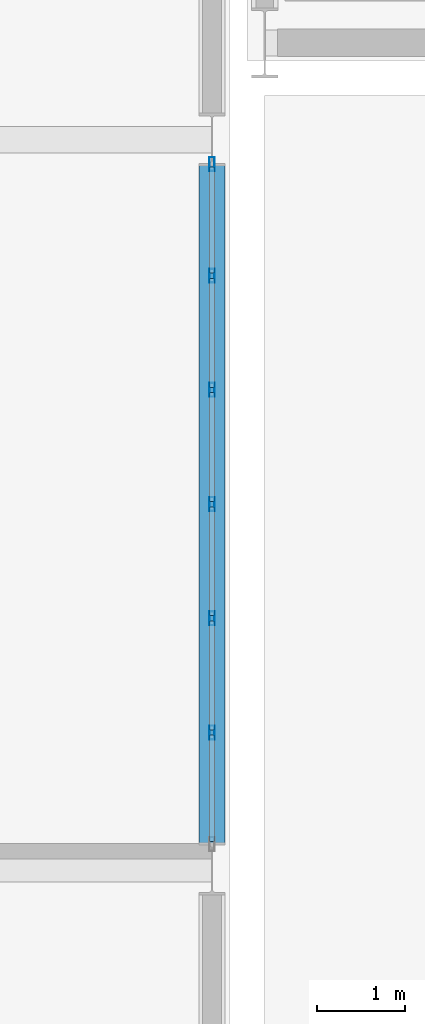
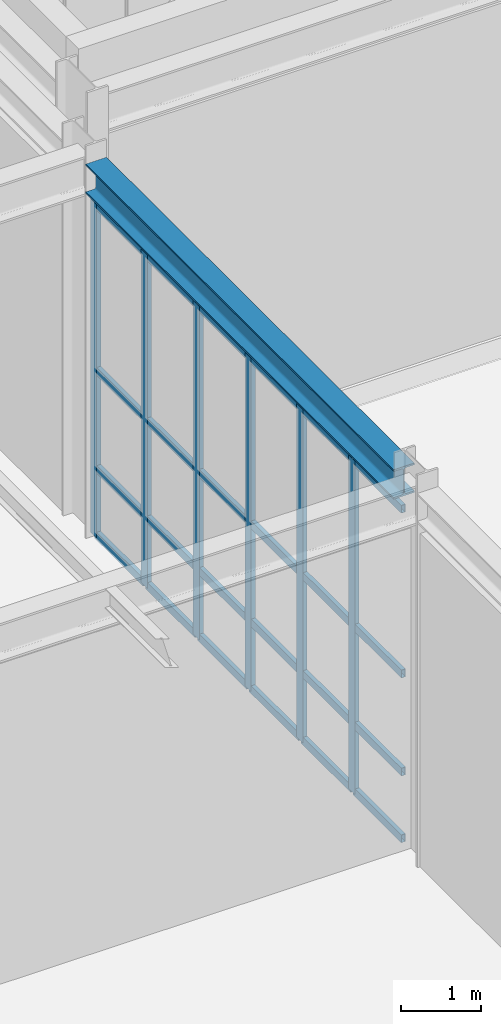
# One storey, part 89 of 146: 30 members, 1 beam, 1 element without a shape of its own.
"""IFC4 building model written with IfcOpenShell, lengths in metres."""

from ifc_helpers import new_model, si_unit, direction, frame, origin, origin_2d, place, context, subcontext, project, spatial, hollow_rectangle, i_section, extrude, material, material_profile, profile_set, type_object, element, aggregate, save


model = new_model("IFC4")

# Units and contexts
model_context = context("Model", 3, precision=1e-05, world=origin(), true_north=direction((0.0, 1.0)))
body_context = subcontext(model_context, "Body", "Model", "MODEL_VIEW")
ifc_project = project(units=[si_unit("LENGTHUNIT", "METRE"), si_unit("AREAUNIT", "SQUARE_METRE"), si_unit("VOLUMEUNIT", "CUBIC_METRE"), si_unit("PLANEANGLEUNIT", "RADIAN"), si_unit("MASSUNIT", "GRAM", prefix="KILO")], contexts=[model_context])

# Site, building, storey
site_placement = place(None, origin())
site = spatial("IfcSite", under=ifc_project, at=site_placement, CompositionType="ELEMENT")
building_placement = place(site_placement, origin())
building = spatial("IfcBuilding", under=site, at=building_placement, Name="Kaldris Quays Convention Centre", CompositionType="ELEMENT")
storey_placement = place(building_placement, origin())
storey = spatial("IfcBuildingStorey", under=building, at=storey_placement, Name="L00", CompositionType="ELEMENT", Elevation=0.0)

# Curtain wall, members
ifc_material_1 = material(Name="Anodized aluminium AW-6060 and triple glazing", Category="aluminium")
curtain_wall_type = type_object("IfcCurtainWallType", Name="UNITISED CURTAIN WALL CW04", PredefinedType="NOTDEFINED", material=ifc_material_1)
curtain_wall_placement = place(storey_placement, origin())
curtain_wall = element("IfcCurtainWall", 1, at=curtain_wall_placement, inside=storey, type_object=curtain_wall_type, Name="L00 Unitised Curtain Wall CW04 136", PredefinedType="NOTDEFINED")
ifc_material_2 = material(Name="Anodized aluminium AW-6060", Category="aluminium")
ifc_material_profile_1 = material_profile(ifc_material_2, hollow_rectangle(XDim=0.06005859375, YDim=0.159912109375, WallThickness=0.00390625, at=origin_2d()), Name="RHS 160x60x4")
ifc_profile_set_1 = profile_set([ifc_material_profile_1], Name="Anodized aluminium AW-6060")
member_type_1 = type_object("IfcMemberType", Name="CURTAIN MULLION CWM1", PredefinedType="MULLION", material=ifc_profile_set_1)
member_1_placement = place(storey_placement, frame((164.0, 48.14990234375, 0.0), z_axis=(0.0, 0.0, 1.0), x_axis=(-1.0, 0.0, 0.0)))
member_1 = element("IfcMember", 2, at=member_1_placement, type_object=member_type_1, Name="CW04 mullion 2", PredefinedType="MULLION", context=body_context, shape_type="SweptSolid", body=[
    extrude(hollow_rectangle(XDim=0.06005859375, YDim=0.159912109375, WallThickness=0.00390625, at=origin_2d()), origin(), (0.0, 0.0, 1.0), 5.097900390625),
])
member_2_placement = place(storey_placement, frame((164.0, 49.449951171875, 0.0), z_axis=(0.0, 0.0, 1.0), x_axis=(-1.0, 0.0, 0.0)))
member_2 = element("IfcMember", 3, at=member_2_placement, type_object=member_type_1, Name="CW04 mullion 3", PredefinedType="MULLION", context=body_context, shape_type="SweptSolid", body=[
    extrude(hollow_rectangle(XDim=0.06005859375, YDim=0.159912109375, WallThickness=0.00390625, at=origin_2d()), origin(), (0.0, 0.0, 1.0), 5.097900390625),
])
member_3_placement = place(storey_placement, frame((164.0, 50.75, 0.0), z_axis=(0.0, 0.0, 1.0), x_axis=(-1.0, 0.0, 0.0)))
member_3 = element("IfcMember", 4, at=member_3_placement, type_object=member_type_1, Name="CW04 mullion 4", PredefinedType="MULLION", context=body_context, shape_type="SweptSolid", body=[
    extrude(hollow_rectangle(XDim=0.06005859375, YDim=0.159912109375, WallThickness=0.00390625, at=origin_2d()), origin(), (0.0, 0.0, 1.0), 5.097900390625),
])
member_4_placement = place(storey_placement, frame((164.0, 52.050048828125, 0.0), z_axis=(0.0, 0.0, 1.0), x_axis=(-1.0, 0.0, 0.0)))
member_4 = element("IfcMember", 5, at=member_4_placement, type_object=member_type_1, Name="CW04 mullion 5", PredefinedType="MULLION", context=body_context, shape_type="SweptSolid", body=[
    extrude(hollow_rectangle(XDim=0.06005859375, YDim=0.159912109375, WallThickness=0.00390625, at=origin_2d()), origin(), (0.0, 0.0, 1.0), 5.097900390625),
])
member_5_placement = place(storey_placement, frame((164.0, 53.35009765625, 0.0), z_axis=(0.0, 0.0, 1.0), x_axis=(-1.0, 0.0, 0.0)))
member_5 = element("IfcMember", 6, at=member_5_placement, type_object=member_type_1, Name="CW04 mullion 6", PredefinedType="MULLION", context=body_context, shape_type="SweptSolid", body=[
    extrude(hollow_rectangle(XDim=0.06005859375, YDim=0.159912109375, WallThickness=0.00390625, at=origin_2d()), origin(), (0.0, 0.0, 1.0), 5.097900390625),
])
member_6_placement = place(storey_placement, frame((164.0, 54.6201171875, 0.0), z_axis=(0.0, 0.0, 1.0), x_axis=(-1.0, 0.0, 0.0)))
member_6 = element("IfcMember", 7, at=member_6_placement, type_object=member_type_1, Name="CW04 mullion 7", PredefinedType="MULLION", context=body_context, shape_type="SweptSolid", body=[
    extrude(hollow_rectangle(XDim=0.06005859375, YDim=0.159912109375, WallThickness=0.00390625, at=origin_2d()), origin(), (0.0, 0.0, 1.0), 5.097900390625),
])
ifc_material_profile_2 = material_profile(ifc_material_2, hollow_rectangle(XDim=0.06005859375, YDim=0.1201171875, WallThickness=0.00390625, at=origin_2d()), Name="RHS 120x60x4")
ifc_profile_set_2 = profile_set([ifc_material_profile_2], Name="Anodized aluminium AW-6060")
member_type_2 = type_object("IfcMemberType", Name="CURTAIN TRANSOM CWT1", PredefinedType="USERDEFINED", material=ifc_profile_set_2)
member_7_placement = place(storey_placement, frame((164.0, 46.909912109375, 0.030029296875), z_axis=(0.0, 1.0, 0.0), x_axis=(-1.0, 0.0, 0.0)))
member_7 = element("IfcMember", 8, at=member_7_placement, type_object=member_type_2, Name="CW04 transom 1.1", ObjectType="TRANSOM", PredefinedType="USERDEFINED", context=body_context, shape_type="SweptSolid", body=[
    extrude(hollow_rectangle(XDim=0.06005859375, YDim=0.1201171875, WallThickness=0.00390625, at=origin_2d()), origin(), (0.0, 0.0, 1.0), 1.210205078125),
])
member_8_placement = place(storey_placement, frame((164.0, 46.909912109375, 1.050048828125), z_axis=(0.0, 1.0, 0.0), x_axis=(-1.0, 0.0, 0.0)))
member_8 = element("IfcMember", 9, at=member_8_placement, type_object=member_type_2, Name="CW04 transom 1.2", ObjectType="TRANSOM", PredefinedType="USERDEFINED", context=body_context, shape_type="SweptSolid", body=[
    extrude(hollow_rectangle(XDim=0.06005859375, YDim=0.1201171875, WallThickness=0.00390625, at=origin_2d()), origin(), (0.0, 0.0, 1.0), 1.210205078125),
])
member_9_placement = place(storey_placement, frame((164.0, 46.909912109375, 2.549072265625), z_axis=(0.0, 1.0, 0.0), x_axis=(-1.0, 0.0, 0.0)))
member_9 = element("IfcMember", 10, at=member_9_placement, type_object=member_type_2, Name="CW04 transom 1.3", ObjectType="TRANSOM", PredefinedType="USERDEFINED", context=body_context, shape_type="SweptSolid", body=[
    extrude(hollow_rectangle(XDim=0.06005859375, YDim=0.1201171875, WallThickness=0.00390625, at=origin_2d()), origin(), (0.0, 0.0, 1.0), 1.210205078125),
])
member_10_placement = place(storey_placement, frame((164.0, 46.909912109375, 5.068115234375), z_axis=(0.0, 1.0, 0.0), x_axis=(-1.0, 0.0, 0.0)))
member_10 = element("IfcMember", 11, at=member_10_placement, type_object=member_type_2, Name="CW04 transom 1.4", ObjectType="TRANSOM", PredefinedType="USERDEFINED", context=body_context, shape_type="SweptSolid", body=[
    extrude(hollow_rectangle(XDim=0.06005859375, YDim=0.1201171875, WallThickness=0.00390625, at=origin_2d()), origin(), (0.0, 0.0, 1.0), 1.210205078125),
])
member_11_placement = place(storey_placement, frame((164.0, 48.179931640625, 0.030029296875), z_axis=(0.0, 1.0, 0.0), x_axis=(-1.0, 0.0, 0.0)))
member_11 = element("IfcMember", 12, at=member_11_placement, type_object=member_type_2, Name="CW04 transom 2.1", ObjectType="TRANSOM", PredefinedType="USERDEFINED", context=body_context, shape_type="SweptSolid", body=[
    extrude(hollow_rectangle(XDim=0.06005859375, YDim=0.1201171875, WallThickness=0.00390625, at=origin_2d()), origin(), (0.0, 0.0, 1.0), 1.239990234375),
])
member_12_placement = place(storey_placement, frame((164.0, 48.179931640625, 1.050048828125), z_axis=(0.0, 1.0, 0.0), x_axis=(-1.0, 0.0, 0.0)))
member_12 = element("IfcMember", 13, at=member_12_placement, type_object=member_type_2, Name="CW04 transom 2.2", ObjectType="TRANSOM", PredefinedType="USERDEFINED", context=body_context, shape_type="SweptSolid", body=[
    extrude(hollow_rectangle(XDim=0.06005859375, YDim=0.1201171875, WallThickness=0.00390625, at=origin_2d()), origin(), (0.0, 0.0, 1.0), 1.239990234375),
])
member_13_placement = place(storey_placement, frame((164.0, 48.179931640625, 2.549072265625), z_axis=(0.0, 1.0, 0.0), x_axis=(-1.0, 0.0, 0.0)))
member_13 = element("IfcMember", 14, at=member_13_placement, type_object=member_type_2, Name="CW04 transom 2.3", ObjectType="TRANSOM", PredefinedType="USERDEFINED", context=body_context, shape_type="SweptSolid", body=[
    extrude(hollow_rectangle(XDim=0.06005859375, YDim=0.1201171875, WallThickness=0.00390625, at=origin_2d()), origin(), (0.0, 0.0, 1.0), 1.239990234375),
])
member_14_placement = place(storey_placement, frame((164.0, 48.179931640625, 5.068115234375), z_axis=(0.0, 1.0, 0.0), x_axis=(-1.0, 0.0, 0.0)))
member_14 = element("IfcMember", 15, at=member_14_placement, type_object=member_type_2, Name="CW04 transom 2.4", ObjectType="TRANSOM", PredefinedType="USERDEFINED", context=body_context, shape_type="SweptSolid", body=[
    extrude(hollow_rectangle(XDim=0.06005859375, YDim=0.1201171875, WallThickness=0.00390625, at=origin_2d()), origin(), (0.0, 0.0, 1.0), 1.239990234375),
])
member_15_placement = place(storey_placement, frame((164.0, 49.47998046875, 0.030029296875), z_axis=(0.0, 1.0, 0.0), x_axis=(-1.0, 0.0, 0.0)))
member_15 = element("IfcMember", 16, at=member_15_placement, type_object=member_type_2, Name="CW04 transom 3.1", ObjectType="TRANSOM", PredefinedType="USERDEFINED", context=body_context, shape_type="SweptSolid", body=[
    extrude(hollow_rectangle(XDim=0.06005859375, YDim=0.1201171875, WallThickness=0.00390625, at=origin_2d()), origin(), (0.0, 0.0, 1.0), 1.239990234375),
])
member_16_placement = place(storey_placement, frame((164.0, 49.47998046875, 1.050048828125), z_axis=(0.0, 1.0, 0.0), x_axis=(-1.0, 0.0, 0.0)))
member_16 = element("IfcMember", 17, at=member_16_placement, type_object=member_type_2, Name="CW04 transom 3.2", ObjectType="TRANSOM", PredefinedType="USERDEFINED", context=body_context, shape_type="SweptSolid", body=[
    extrude(hollow_rectangle(XDim=0.06005859375, YDim=0.1201171875, WallThickness=0.00390625, at=origin_2d()), origin(), (0.0, 0.0, 1.0), 1.239990234375),
])
member_17_placement = place(storey_placement, frame((164.0, 49.47998046875, 2.549072265625), z_axis=(0.0, 1.0, 0.0), x_axis=(-1.0, 0.0, 0.0)))
member_17 = element("IfcMember", 18, at=member_17_placement, type_object=member_type_2, Name="CW04 transom 3.3", ObjectType="TRANSOM", PredefinedType="USERDEFINED", context=body_context, shape_type="SweptSolid", body=[
    extrude(hollow_rectangle(XDim=0.06005859375, YDim=0.1201171875, WallThickness=0.00390625, at=origin_2d()), origin(), (0.0, 0.0, 1.0), 1.239990234375),
])
member_18_placement = place(storey_placement, frame((164.0, 49.47998046875, 5.068115234375), z_axis=(0.0, 1.0, 0.0), x_axis=(-1.0, 0.0, 0.0)))
member_18 = element("IfcMember", 19, at=member_18_placement, type_object=member_type_2, Name="CW04 transom 3.4", ObjectType="TRANSOM", PredefinedType="USERDEFINED", context=body_context, shape_type="SweptSolid", body=[
    extrude(hollow_rectangle(XDim=0.06005859375, YDim=0.1201171875, WallThickness=0.00390625, at=origin_2d()), origin(), (0.0, 0.0, 1.0), 1.239990234375),
])
member_19_placement = place(storey_placement, frame((164.0, 50.780029296875, 0.030029296875), z_axis=(0.0, 1.0, 0.0), x_axis=(-1.0, 0.0, 0.0)))
member_19 = element("IfcMember", 20, at=member_19_placement, type_object=member_type_2, Name="CW04 transom 4.1", ObjectType="TRANSOM", PredefinedType="USERDEFINED", context=body_context, shape_type="SweptSolid", body=[
    extrude(hollow_rectangle(XDim=0.06005859375, YDim=0.1201171875, WallThickness=0.00390625, at=origin_2d()), origin(), (0.0, 0.0, 1.0), 1.239990234375),
])
member_20_placement = place(storey_placement, frame((164.0, 50.780029296875, 1.050048828125), z_axis=(0.0, 1.0, 0.0), x_axis=(-1.0, 0.0, 0.0)))
member_20 = element("IfcMember", 21, at=member_20_placement, type_object=member_type_2, Name="CW04 transom 4.2", ObjectType="TRANSOM", PredefinedType="USERDEFINED", context=body_context, shape_type="SweptSolid", body=[
    extrude(hollow_rectangle(XDim=0.06005859375, YDim=0.1201171875, WallThickness=0.00390625, at=origin_2d()), origin(), (0.0, 0.0, 1.0), 1.239990234375),
])
member_21_placement = place(storey_placement, frame((164.0, 50.780029296875, 2.549072265625), z_axis=(0.0, 1.0, 0.0), x_axis=(-1.0, 0.0, 0.0)))
member_21 = element("IfcMember", 22, at=member_21_placement, type_object=member_type_2, Name="CW04 transom 4.3", ObjectType="TRANSOM", PredefinedType="USERDEFINED", context=body_context, shape_type="SweptSolid", body=[
    extrude(hollow_rectangle(XDim=0.06005859375, YDim=0.1201171875, WallThickness=0.00390625, at=origin_2d()), origin(), (0.0, 0.0, 1.0), 1.239990234375),
])
member_22_placement = place(storey_placement, frame((164.0, 50.780029296875, 5.068115234375), z_axis=(0.0, 1.0, 0.0), x_axis=(-1.0, 0.0, 0.0)))
member_22 = element("IfcMember", 23, at=member_22_placement, type_object=member_type_2, Name="CW04 transom 4.4", ObjectType="TRANSOM", PredefinedType="USERDEFINED", context=body_context, shape_type="SweptSolid", body=[
    extrude(hollow_rectangle(XDim=0.06005859375, YDim=0.1201171875, WallThickness=0.00390625, at=origin_2d()), origin(), (0.0, 0.0, 1.0), 1.239990234375),
])
member_23_placement = place(storey_placement, frame((164.0, 52.080078125, 0.030029296875), z_axis=(0.0, 1.0, 0.0), x_axis=(-1.0, 0.0, 0.0)))
member_23 = element("IfcMember", 24, at=member_23_placement, type_object=member_type_2, Name="CW04 transom 5.1", ObjectType="TRANSOM", PredefinedType="USERDEFINED", context=body_context, shape_type="SweptSolid", body=[
    extrude(hollow_rectangle(XDim=0.06005859375, YDim=0.1201171875, WallThickness=0.00390625, at=origin_2d()), origin(), (0.0, 0.0, 1.0), 1.239990234375),
])
member_24_placement = place(storey_placement, frame((164.0, 52.080078125, 1.050048828125), z_axis=(0.0, 1.0, 0.0), x_axis=(-1.0, 0.0, 0.0)))
member_24 = element("IfcMember", 25, at=member_24_placement, type_object=member_type_2, Name="CW04 transom 5.2", ObjectType="TRANSOM", PredefinedType="USERDEFINED", context=body_context, shape_type="SweptSolid", body=[
    extrude(hollow_rectangle(XDim=0.06005859375, YDim=0.1201171875, WallThickness=0.00390625, at=origin_2d()), origin(), (0.0, 0.0, 1.0), 1.239990234375),
])
member_25_placement = place(storey_placement, frame((164.0, 52.080078125, 2.549072265625), z_axis=(0.0, 1.0, 0.0), x_axis=(-1.0, 0.0, 0.0)))
member_25 = element("IfcMember", 26, at=member_25_placement, type_object=member_type_2, Name="CW04 transom 5.3", ObjectType="TRANSOM", PredefinedType="USERDEFINED", context=body_context, shape_type="SweptSolid", body=[
    extrude(hollow_rectangle(XDim=0.06005859375, YDim=0.1201171875, WallThickness=0.00390625, at=origin_2d()), origin(), (0.0, 0.0, 1.0), 1.239990234375),
])
member_26_placement = place(storey_placement, frame((164.0, 52.080078125, 5.068115234375), z_axis=(0.0, 1.0, 0.0), x_axis=(-1.0, 0.0, 0.0)))
member_26 = element("IfcMember", 27, at=member_26_placement, type_object=member_type_2, Name="CW04 transom 5.4", ObjectType="TRANSOM", PredefinedType="USERDEFINED", context=body_context, shape_type="SweptSolid", body=[
    extrude(hollow_rectangle(XDim=0.06005859375, YDim=0.1201171875, WallThickness=0.00390625, at=origin_2d()), origin(), (0.0, 0.0, 1.0), 1.239990234375),
])
member_27_placement = place(storey_placement, frame((164.0, 53.3798828125, 0.030029296875), z_axis=(0.0, 1.0, 0.0), x_axis=(-1.0, 0.0, 0.0)))
member_27 = element("IfcMember", 28, at=member_27_placement, type_object=member_type_2, Name="CW04 transom 6.1", ObjectType="TRANSOM", PredefinedType="USERDEFINED", context=body_context, shape_type="SweptSolid", body=[
    extrude(hollow_rectangle(XDim=0.06005859375, YDim=0.1201171875, WallThickness=0.00390625, at=origin_2d()), origin(), (0.0, 0.0, 1.0), 1.210205078125),
])
member_28_placement = place(storey_placement, frame((164.0, 53.3798828125, 1.050048828125), z_axis=(0.0, 1.0, 0.0), x_axis=(-1.0, 0.0, 0.0)))
member_28 = element("IfcMember", 29, at=member_28_placement, type_object=member_type_2, Name="CW04 transom 6.2", ObjectType="TRANSOM", PredefinedType="USERDEFINED", context=body_context, shape_type="SweptSolid", body=[
    extrude(hollow_rectangle(XDim=0.06005859375, YDim=0.1201171875, WallThickness=0.00390625, at=origin_2d()), origin(), (0.0, 0.0, 1.0), 1.210205078125),
])
member_29_placement = place(storey_placement, frame((164.0, 53.3798828125, 2.549072265625), z_axis=(0.0, 1.0, 0.0), x_axis=(-1.0, 0.0, 0.0)))
member_29 = element("IfcMember", 30, at=member_29_placement, type_object=member_type_2, Name="CW04 transom 6.3", ObjectType="TRANSOM", PredefinedType="USERDEFINED", context=body_context, shape_type="SweptSolid", body=[
    extrude(hollow_rectangle(XDim=0.06005859375, YDim=0.1201171875, WallThickness=0.00390625, at=origin_2d()), origin(), (0.0, 0.0, 1.0), 1.210205078125),
])
member_30_placement = place(storey_placement, frame((164.0, 53.3798828125, 5.068115234375), z_axis=(0.0, 1.0, 0.0), x_axis=(-1.0, 0.0, 0.0)))
member_30 = element("IfcMember", 31, at=member_30_placement, type_object=member_type_2, Name="CW04 transom 6.4", ObjectType="TRANSOM", PredefinedType="USERDEFINED", context=body_context, shape_type="SweptSolid", body=[
    extrude(hollow_rectangle(XDim=0.06005859375, YDim=0.1201171875, WallThickness=0.00390625, at=origin_2d()), origin(), (0.0, 0.0, 1.0), 1.210205078125),
])
aggregate(curtain_wall, [member_1, member_2, member_3, member_4, member_5, member_6, member_7, member_8, member_9, member_10, member_11, member_12, member_13, member_14, member_15, member_16, member_17, member_18, member_19, member_20, member_21, member_22, member_23, member_24, member_25, member_26, member_27, member_28, member_29, member_30])

# Beam
ifc_material_3 = material(Name="Steel S355J2", Category="steel")
ifc_material_profile_3 = material_profile(ifc_material_3, i_section(OverallWidth=0.300048828125, OverallDepth=0.449951171875, WebThickness=0.013916015625, FlangeThickness=0.02587890625, FilletRadius=0.027099609375, at=origin_2d()), Name="HEB 450")
ifc_profile_set_3 = profile_set([ifc_material_profile_3], Name="Steel S355J2")
beam_type = type_object("IfcBeamType", Name="STRUCTURAL BEAM BM07", PredefinedType="BEAM", material=ifc_profile_set_3)
beam_placement = place(storey_placement, frame((164.0, 46.89404296875, 5.498046875), z_axis=(0.0, 1.0, 0.0), x_axis=(-1.0, 0.0, 0.0)))
element("IfcBeam", 32, at=beam_placement, inside=storey, type_object=beam_type, Name="L00 Girder BM07 91", PredefinedType="BEAM", context=body_context, shape_type="SweptSolid", body=[
    extrude(i_section(OverallWidth=0.300048828125, OverallDepth=0.449951171875, WebThickness=0.013916015625, FlangeThickness=0.02587890625, FilletRadius=0.027099609375, at=origin_2d()), origin(), (0.0, 0.0, 1.0), 7.7119140625),
])

save(model, "model.ifc")
